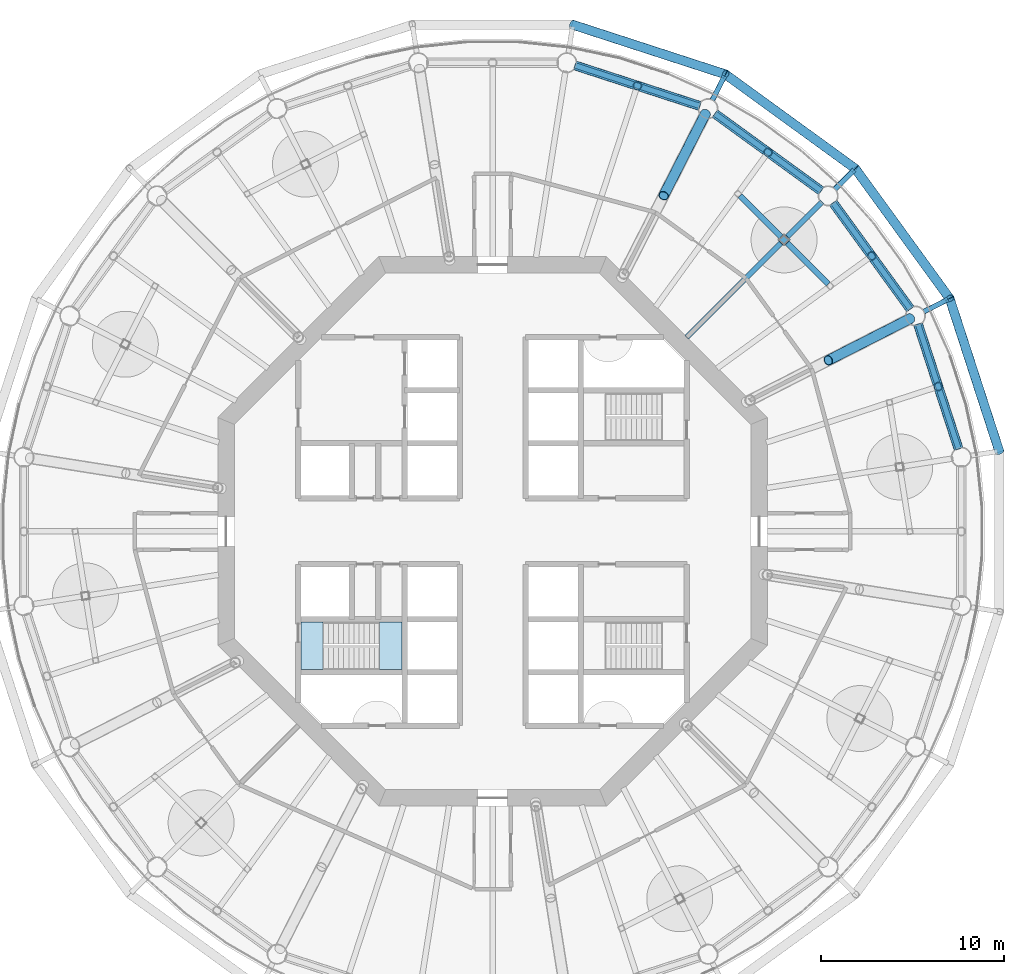
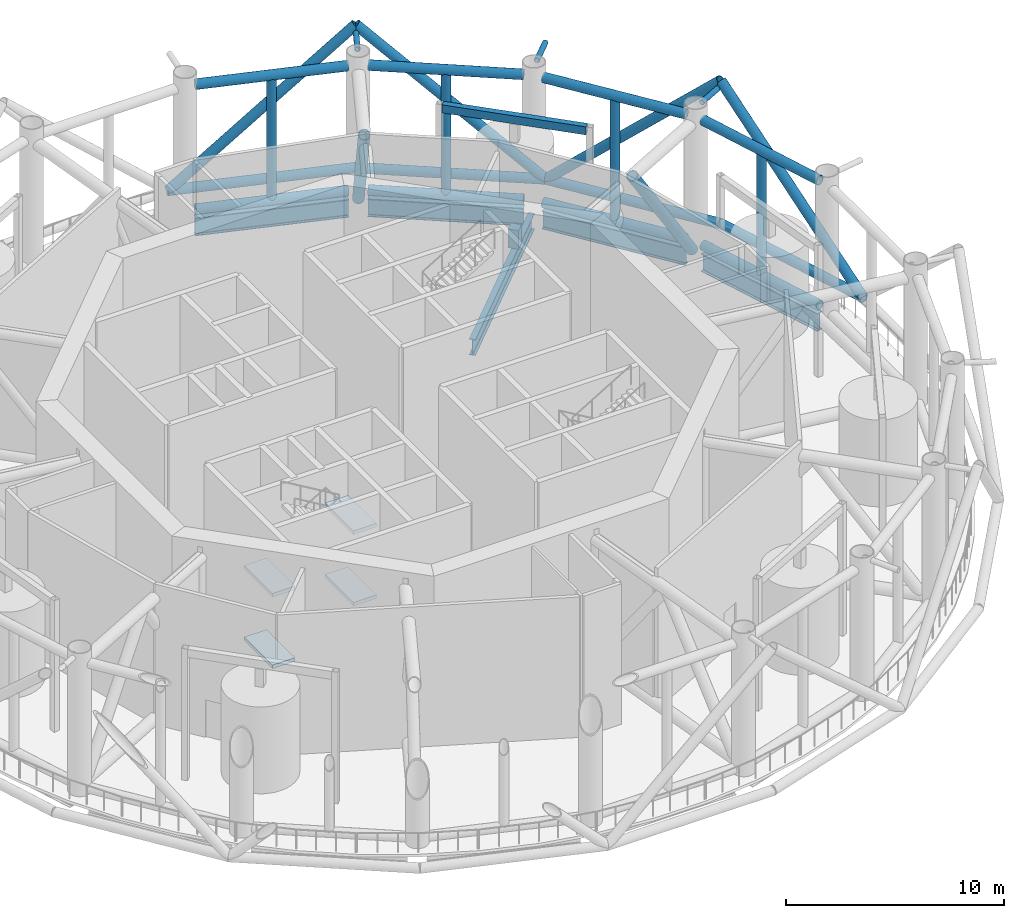
# One storey, part 10 of 22: 26 members, 6 beams, 4 slabs, 1 element without a shape of its own.
"""IFC4 building model written with IfcOpenShell, lengths in metres."""

from ifc_helpers import new_model, si_unit, direction, frame, origin, origin_2d, place, context, subcontext, project, spatial, polyline, rectangle, hollow_rectangle, circle, hollow_circle, i_section, outline, extrude, material, layer, layer_set, material_profile, profile_set, type_object, element, aggregate, save


model = new_model("IFC4")

# Units and contexts
model_context = context("Model", 3, precision=1e-05, world=origin(), true_north=direction((0.0, 1.0)))
body_context = subcontext(model_context, "Body", "Model", "MODEL_VIEW")
ifc_project = project(units=[si_unit("LENGTHUNIT", "METRE"), si_unit("AREAUNIT", "SQUARE_METRE"), si_unit("VOLUMEUNIT", "CUBIC_METRE"), si_unit("PLANEANGLEUNIT", "RADIAN"), si_unit("MASSUNIT", "GRAM", prefix="KILO")], contexts=[model_context])

# Site, building, storey
site_placement = place(None, origin())
site = spatial("IfcSite", under=ifc_project, at=site_placement, CompositionType="ELEMENT")
building_placement = place(site_placement, origin())
building = spatial("IfcBuilding", under=site, at=building_placement, Name="Entoto Ring Tower", CompositionType="ELEMENT")
storey_placement = place(building_placement, frame((0.0, 0.0, 230.0)))
storey = spatial("IfcBuildingStorey", under=building, at=storey_placement, Name="L53", CompositionType="ELEMENT", Elevation=230.0)

# Members
ifc_material_1 = material(Name="Steel S355", Category="steel")
ifc_material_profile_1 = material_profile(ifc_material_1, hollow_circle(Radius=0.25390625, WallThickness=0.02490234375, at=origin_2d()), Name="CHS 508 x 25")
ifc_material_2 = material(Name="Concrete C60/75", Category="concrete")
ifc_material_profile_2 = material_profile(ifc_material_2, circle(Radius=0.22900390625, at=origin_2d()), Name="Concrete C60/75 infill")
ifc_profile_set_1 = profile_set([ifc_material_profile_1, ifc_material_profile_2], Name="Steel S355")
member_type_1 = type_object("IfcMemberType", Name="Diagrid diagonal 508 x 25 concrete-filled tube", PredefinedType="BRACE", material=ifc_profile_set_1)
for number, where, z_axis, x_axis, name in (
    (1, (117.6552734375, 84.380126953125, 0.0), (-0.228181506805, 0.702283739289, 0.674337266865), (-0.95105823263, -0.309011711991, 0.0), "DG5 module 17 02"),
    (2, (109.799072265625, 99.799072265625, 0.0), (0.434030642959, -0.597406930213, 0.674331046821), (0.809024012567, 0.587775592458, 0.0), "DG5 module 17 03"),
    (3, (109.799072265625, 99.799072265625, 0.0), (-0.597406930213, 0.434030642959, 0.674331046821), (-0.587775592458, -0.809024012567, 0.0), "DG5 module 17 04"),
    (4, (94.380126953125, 107.6552734375, 0.0), (0.702283739289, -0.228181506805, 0.674337266865), (0.309011711991, 0.95105823263, 0.0), "DG5 module 17 05"),
):
    element("IfcMember", number, at=place(storey_placement, frame(where, z_axis=z_axis, x_axis=x_axis)), inside=storey, type_object=member_type_1, Name=name, PredefinedType="BRACE", context=body_context, shape_type="SweptSolid", body=[
        extrude(hollow_circle(Radius=0.25390625, WallThickness=0.02490234375, at=origin_2d()), origin(), (0.0, 0.0, 1.0), 11.863525390625),
    ])
ifc_material_3 = material(Name="Steel S355", Category="steel")
ifc_material_profile_3 = material_profile(ifc_material_3, hollow_circle(Radius=0.136474609375, WallThickness=0.012451171875, at=origin_2d()), Name="CHS 273 x 12.5")
ifc_material_4 = material(Name="Concrete C60/75", Category="concrete")
ifc_material_profile_4 = material_profile(ifc_material_4, circle(Radius=0.1240234375, at=origin_2d()), Name="Concrete C60/75 infill")
ifc_profile_set_2 = profile_set([ifc_material_profile_3, ifc_material_profile_4], Name="Steel S355")
member_type_2 = type_object("IfcMemberType", Name="Diagrid node strut 273 x 12.5", PredefinedType="STRUT", material=ifc_profile_set_2)
for number, where, z_axis, x_axis, name in (
    (5, (113.533935546875, 91.9912109375, 7.71337890625), (0.891053276869, 0.453898730756, 0.0), (-0.453898730756, 0.891053276869, 0.0), "DS2 strut ring 17 01"),
    (6, (108.676513671875, 98.676513671875, 7.71337890625), (0.707106781187, 0.707106781187, 0.0), (-0.707106781187, 0.707106781187, 0.0), "DS2 strut ring 17 02"),
    (7, (101.9912109375, 103.533935546875, 7.71337890625), (0.453898730756, 0.891053276869, 0.0), (-0.891053276869, 0.453898730756, 0.0), "DS2 strut ring 17 03"),
):
    element("IfcMember", number, at=place(storey_placement, frame(where, z_axis=z_axis, x_axis=x_axis)), inside=storey, type_object=member_type_2, Name=name, PredefinedType="STRUT", context=body_context, shape_type="SweptSolid", body=[
        extrude(hollow_circle(Radius=0.136474609375, WallThickness=0.012451171875, at=origin_2d()), origin(), (0.0, 0.0, 1.0), 1.4873046875),
    ])
ifc_material_5 = material(Name="Steel S355", Category="steel")
ifc_material_profile_5 = material_profile(ifc_material_5, hollow_circle(Radius=0.25390625, WallThickness=0.030029296875, at=origin_2d()), Name="CHS 508 x 30")
ifc_material_6 = material(Name="Concrete C60/75", Category="concrete")
ifc_material_profile_6 = material_profile(ifc_material_6, circle(Radius=0.22412109375, at=origin_2d()), Name="Concrete C60/75 infill")
ifc_profile_set_3 = profile_set([ifc_material_profile_5, ifc_material_profile_6], Name="Steel S355")
member_type_3 = type_object("IfcMemberType", Name="Diagrid ring beam 508 x 30", PredefinedType="CHORD", material=ifc_profile_set_3)
for number, where, z_axis, x_axis, name in (
    (8, (117.673828125, 84.322998046875, 0.0), (-0.309002151976, 0.951061338755, 0.0), (-0.951061338755, -0.309002151976, 0.0), "DR2 ring 16 01"),
    (9, (114.983642578125, 92.6630859375, 0.0), (-0.587790766961, 0.809012987705, 0.0), (-0.809012987705, -0.587790766961, 0.0), "DR2 ring 16 02"),
    (10, (109.84765625, 99.763671875, 0.0), (-0.809012987705, 0.587790766961, 0.0), (-0.587790766961, -0.809012987705, 0.0), "DR2 ring 16 03"),
    (11, (102.76904296875, 104.9296875, 0.0), (-0.951061338755, 0.309002151976, 0.0), (-0.309002151976, -0.951061338755, 0.0), "DR2 ring 16 04"),
):
    element("IfcMember", number, at=place(storey_placement, frame(where, z_axis=z_axis, x_axis=x_axis)), inside=storey, type_object=member_type_3, Name=name, PredefinedType="CHORD", context=body_context, shape_type="SweptSolid", body=[
        extrude(hollow_circle(Radius=0.25390625, WallThickness=0.030029296875, at=origin_2d()), origin(), (0.0, 0.0, 1.0), 8.880615234375),
    ])

# Beams
ifc_material_7 = material(Name="Steel S355", Category="steel")
ifc_material_profile_7 = material_profile(ifc_material_7, i_section(OverallWidth=0.300048828125, OverallDepth=1.0, WebThickness=0.01904296875, FlangeThickness=0.035888671875, FilletRadius=0.030029296875, at=origin_2d()), Name="HE 1000 B")
ifc_profile_set_4 = profile_set([ifc_material_profile_7], Name="Steel S355")
beam_type_1 = type_object("IfcBeamType", Name="Edge beam HE 1000 B", PredefinedType="SPANDREL", material=ifc_profile_set_4)
beam_1_placement = place(storey_placement, frame((115.43994140625, 84.486083984375, -0.64990234375), z_axis=(-0.309016197858, 0.951056775099, 0.0), x_axis=(-0.951056775099, -0.309016197858, 0.0)))
element("IfcBeam", 12, at=beam_1_placement, inside=storey, type_object=beam_type_1, Name="Edge beam L53 01", PredefinedType="SPANDREL", context=body_context, shape_type="SweptSolid", body=[
    extrude(i_section(OverallWidth=0.300048828125, OverallDepth=1.0, WebThickness=0.01904296875, FlangeThickness=0.035888671875, FilletRadius=0.030029296875, at=origin_2d()), origin(), (0.0, 0.0, 1.0), 7.189453125),
])
for number, where, z_axis, x_axis, name in (
    (13, (112.80859375, 92.1279296875, -0.64990234375), (-0.587804161843, 0.809003255445, 0.0), (-0.809003255445, -0.587804161843, 0.0), "Edge beam L53 02"),
    (14, (107.9443359375, 98.58251953125, -0.64990234375), (-0.809003255445, 0.587804161843, 0.0), (-0.587804161843, -0.809003255445, 0.0), "Edge beam L53 03"),
):
    element("IfcBeam", number, at=place(storey_placement, frame(where, z_axis=z_axis, x_axis=x_axis)), inside=storey, type_object=beam_type_1, Name=name, PredefinedType="SPANDREL", context=body_context, shape_type="SweptSolid", body=[
        extrude(i_section(OverallWidth=0.300048828125, OverallDepth=1.0, WebThickness=0.01904296875, FlangeThickness=0.035888671875, FilletRadius=0.030029296875, at=origin_2d()), origin(), (0.0, 0.0, 1.0), 7.189697265625),
    ])
beam_2_placement = place(storey_placement, frame((101.32373046875, 103.21826171875, -0.64990234375), z_axis=(-0.951056775099, 0.309016197858, 0.0), x_axis=(-0.309016197858, -0.951056775099, 0.0)))
element("IfcBeam", 15, at=beam_2_placement, inside=storey, type_object=beam_type_1, Name="Edge beam L53 04", PredefinedType="SPANDREL", context=body_context, shape_type="SweptSolid", body=[
    extrude(i_section(OverallWidth=0.300048828125, OverallDepth=1.0, WebThickness=0.01904296875, FlangeThickness=0.035888671875, FilletRadius=0.030029296875, at=origin_2d()), origin(), (0.0, 0.0, 1.0), 7.189453125),
])

# Members
ifc_material_8 = material(Name="Steel S355", Category="steel")
ifc_material_profile_8 = material_profile(ifc_material_8, hollow_circle(Radius=0.279541015625, WallThickness=0.031982421875, at=origin_2d()), Name="CHS 559 x 32")
ifc_material_9 = material(Name="Concrete C60/75", Category="concrete")
ifc_material_profile_9 = material_profile(ifc_material_9, circle(Radius=0.24755859375, at=origin_2d()), Name="Concrete C60/75 infill")
ifc_profile_set_5 = profile_set([ifc_material_profile_8, ifc_material_profile_9], Name="Steel S355")
member_type_4 = type_object("IfcMemberType", Name="Outrigger diagonal 559 x 32", PredefinedType="BRACE", material=ifc_profile_set_5)
for number, where, z_axis, x_axis, name in (
    (16, (108.320068359375, 89.33447265625, 7.044921875), (0.516071045889, 0.262970974339, -0.815179085999), (-0.454017422809, 0.890992805687, 0.0), "OR2 L53 01 2"),
    (17, (99.33447265625, 98.320068359375, 7.044921875), (0.262970974339, 0.516071045889, -0.815179085999), (-0.890992805687, 0.454017422809, 0.0), "OR2 L53 02 2"),
):
    element("IfcMember", number, at=place(storey_placement, frame(where, z_axis=z_axis, x_axis=x_axis)), inside=storey, type_object=member_type_4, Name=name, PredefinedType="BRACE", context=body_context, shape_type="SweptSolid", body=[
        extrude(hollow_circle(Radius=0.279541015625, WallThickness=0.031982421875, at=origin_2d()), origin(), (0.0, 0.0, 1.0), 8.681396484375),
    ])

# Beam
ifc_material_10 = material(Name="Steel S355", Category="steel")
ifc_material_profile_10 = material_profile(ifc_material_10, i_section(OverallWidth=0.300048828125, OverallDepth=0.89990234375, WebThickness=0.0185546875, FlangeThickness=0.034912109375, FilletRadius=0.030029296875, at=origin_2d()), Name="HE 900 B")
ifc_profile_set_6 = profile_set([ifc_material_profile_10], Name="Steel S355")
beam_type_2 = type_object("IfcBeamType", Name="Primary floor beam HE 900 B", PredefinedType="BEAM", material=ifc_profile_set_6)
beam_3_placement = place(storey_placement, frame((100.592529296875, 90.592529296875, -0.60009765625), z_axis=(0.707106781187, 0.707106781187, 0.0), x_axis=(-0.707106781187, 0.707106781187, 0.0)))
element("IfcBeam", 18, at=beam_3_placement, inside=storey, type_object=beam_type_2, Name="Primary L53 R03", PredefinedType="BEAM", context=body_context, shape_type="SweptSolid", body=[
    extrude(i_section(OverallWidth=0.300048828125, OverallDepth=0.89990234375, WebThickness=0.0185546875, FlangeThickness=0.034912109375, FilletRadius=0.030029296875, at=origin_2d()), origin(), (0.0, 0.0, 1.0), 10.462890625),
])

# Members
ifc_material_11 = material(Name="Steel S355", Category="steel")
ifc_material_profile_11 = material_profile(ifc_material_11, hollow_circle(Radius=0.25390625, WallThickness=0.030029296875, at=origin_2d()), Name="CHS 508 x 30")
ifc_material_12 = material(Name="Concrete C60/75", Category="concrete")
ifc_material_profile_12 = material_profile(ifc_material_12, circle(Radius=0.22412109375, at=origin_2d()), Name="Concrete C60/75 infill")
ifc_profile_set_7 = profile_set([ifc_material_profile_11, ifc_material_profile_12], Name="Steel S355")
member_type_5 = type_object("IfcMemberType", Name="Ring truss chord 508 x 30", PredefinedType="CHORD", material=ifc_profile_set_7)
for number, where, z_axis, x_axis, name in (
    (19, (115.4365234375, 84.49658203125, 0.25390625), (-0.30900443182, 0.951060598025, 0.0), (-0.951060598025, -0.30900443182, 0.0), "BT1 L53 bottom 01"),
    (20, (115.4365234375, 84.49658203125, 7.236083984375), (-0.30900443182, 0.951060598025, 0.0), (-0.951060598025, -0.30900443182, 0.0), "BT1 L53 top 01"),
    (21, (112.80224609375, 92.13671875, 0.25390625), (-0.587788860985, 0.809014372494, 0.0), (-0.809014372494, -0.587788860985, 0.0), "BT1 L53 bottom 02"),
    (22, (112.80224609375, 92.13671875, 7.236083984375), (-0.587788860985, 0.809014372494, 0.0), (-0.809014372494, -0.587788860985, 0.0), "BT1 L53 top 02"),
    (23, (107.935546875, 98.589111328125, 0.25390625), (-0.809014372494, 0.587788860985, 0.0), (-0.587788860985, -0.809014372494, 0.0), "BT1 L53 bottom 03"),
    (24, (107.935546875, 98.589111328125, 7.236083984375), (-0.809014372494, 0.587788860985, 0.0), (-0.587788860985, -0.809014372494, 0.0), "BT1 L53 top 03"),
    (25, (101.3134765625, 103.2216796875, 0.25390625), (-0.951060598025, 0.30900443182, 0.0), (-0.30900443182, -0.951060598025, 0.0), "BT1 L53 bottom 04"),
    (26, (101.3134765625, 103.2216796875, 7.236083984375), (-0.951060598025, 0.30900443182, 0.0), (-0.30900443182, -0.951060598025, 0.0), "BT1 L53 top 04"),
):
    element("IfcMember", number, at=place(storey_placement, frame(where, z_axis=z_axis, x_axis=x_axis)), inside=storey, type_object=member_type_5, Name=name, PredefinedType="CHORD", context=body_context, shape_type="SweptSolid", body=[
        extrude(hollow_circle(Radius=0.25390625, WallThickness=0.030029296875, at=origin_2d()), origin(), (0.0, 0.0, 1.0), 7.167724609375),
    ])
ifc_material_13 = material(Name="Steel S355", Category="steel")
ifc_material_profile_13 = material_profile(ifc_material_13, hollow_circle(Radius=0.228515625, WallThickness=0.02001953125, at=origin_2d()), Name="CHS 457 x 20")
ifc_material_14 = material(Name="Concrete C60/75", Category="concrete")
ifc_material_profile_14 = material_profile(ifc_material_14, circle(Radius=0.20849609375, at=origin_2d()), Name="Concrete C60/75 infill")
ifc_profile_set_8 = profile_set([ifc_material_profile_13, ifc_material_profile_14], Name="Steel S355")
member_type_6 = type_object("IfcMemberType", Name="Ring truss post 457 x 20", PredefinedType="POST", material=ifc_profile_set_8)
for number, where, z_axis, x_axis, name in (
    (27, (114.3291015625, 87.905029296875, 0.25390625), (0.0, 0.0, 1.0), (1.0, 0.0, 0.0), "BT3 L53 01"),
    (28, (110.695556640625, 95.0361328125, 0.25390625), (0.0, 0.0, 1.0), (1.0, 0.0, 0.0), "BT3 L53 02"),
    (29, (105.0361328125, 100.695556640625, 0.25390625), (0.0, 0.0, 1.0), (1.0, 0.0, 0.0), "BT3 L53 03"),
    (30, (97.905029296875, 104.3291015625, 0.25390625), (0.0, 0.0, 1.0), (1.0, 0.0, 0.0), "BT3 L53 04"),
):
    element("IfcMember", number, at=place(storey_placement, frame(where, z_axis=z_axis, x_axis=x_axis)), inside=storey, type_object=member_type_6, Name=name, PredefinedType="POST", context=body_context, shape_type="SweptSolid", body=[
        extrude(hollow_circle(Radius=0.228515625, WallThickness=0.02001953125, at=origin_2d()), origin(), (0.0, 0.0, 1.0), 6.982177734375),
    ])
ifc_material_15 = material(Name="Steel S355", Category="steel")
ifc_material_profile_15 = material_profile(ifc_material_15, rectangle(XDim=0.5, YDim=0.5, at=origin_2d()), Name="Turbine base 500 x 500 mm steel pedestal")
ifc_profile_set_9 = profile_set([ifc_material_profile_15], Name="Steel S355")
member_type_7 = type_object("IfcMemberType", Name="Turbine base 500 x 500 mm steel pedestal", PredefinedType="POST", material=ifc_profile_set_9)
member_placement = place(storey_placement, frame((105.909912109375, 95.909912109375, 0.0), z_axis=(0.0, 0.0, 1.0), x_axis=(-0.707106781187, 0.707106781187, 0.0)))
element("IfcMember", 31, at=member_placement, inside=storey, type_object=member_type_7, Name="TURBINE BASE 2", PredefinedType="POST", context=body_context, shape_type="SweptSolid", body=[
    extrude(rectangle(XDim=0.5, YDim=0.5, at=origin_2d()), origin(), (0.0, 0.0, 1.0), 1.050048828125),
])

# Beam
ifc_material_16 = material(Name="Steel S355", Category="steel")
ifc_material_profile_16 = material_profile(ifc_material_16, hollow_rectangle(XDim=0.300048828125, YDim=0.449951171875, WallThickness=0.013916015625, at=origin_2d()), Name="Turbine frame beam 300 x 450 x 14 mm")
ifc_profile_set_10 = profile_set([ifc_material_profile_16], Name="Steel S355")
beam_type_3 = type_object("IfcBeamType", Name="Turbine frame beam 300 x 450 x 14 mm", PredefinedType="BEAM", material=ifc_profile_set_10)
beam_4_placement = place(storey_placement, frame((108.32373046875, 93.49609375, 7.125), z_axis=(-0.707106781187, 0.707106781187, 0.0), x_axis=(-0.707106781187, -0.707106781187, 0.0)))
element("IfcBeam", 32, at=beam_4_placement, inside=storey, type_object=beam_type_3, Name="TURBINE FRAME BEAM 2", PredefinedType="BEAM", context=body_context, shape_type="SweptSolid", body=[
    extrude(hollow_rectangle(XDim=0.300048828125, YDim=0.449951171875, WallThickness=0.013916015625, at=origin_2d()), origin(), (0.0, 0.0, 1.0), 6.827392578125),
])

# Stair, slabs
ifc_material_17 = material(Name="Concrete C40/50", Category="concrete")
stair_type = type_object("IfcStairType", Name="Exit stair 1200 mm dog-leg reinforced concrete", PredefinedType="HALF_TURN_STAIR", material=ifc_material_17)
stair_placement = place(storey_placement, origin())
stair = element("IfcStair", 33, at=stair_placement, inside=storey, type_object=stair_type, Name="Exit stair 2", PredefinedType="HALF_TURN_STAIR")
ifc_material_18 = material(Name="Concrete C40/50", Category="concrete")
ifc_layer = layer(ifc_material_18, 0.199951171875)
ifc_layer_set = layer_set([ifc_layer], Name="Concrete C40/50")
slab_type = type_object("IfcSlabType", Name="Stair landing 200 mm reinforced concrete", PredefinedType="LANDING", material=ifc_layer_set)
slab_1_placement = place(storey_placement, frame((0.0, 0.0, -0.199951171875)))
slab_1 = element("IfcSlab", 34, at=slab_1_placement, type_object=slab_type, Name="ST2 landing 1", PredefinedType="LANDING", context=body_context, shape_type="SweptSolid", body=[
    extrude(outline(polyline([(80.75, 72.449951171875), (80.75, 75.050048828125), (79.550048828125, 75.050048828125), (79.550048828125, 72.449951171875), (80.75, 72.449951171875)])), origin(), (0.0, 0.0, 1.0), 0.199951171875),
])
slab_2_placement = place(storey_placement, frame((0.0, 0.0, 1.800048828125)))
slab_2 = element("IfcSlab", 35, at=slab_2_placement, type_object=slab_type, Name="ST2 landing 2", PredefinedType="LANDING", context=body_context, shape_type="SweptSolid", body=[
    extrude(outline(polyline([(83.830078125, 72.449951171875), (85.050048828125, 72.449951171875), (85.050048828125, 75.050048828125), (83.830078125, 75.050048828125), (83.830078125, 72.449951171875)])), origin(), (0.0, 0.0, 1.0), 0.199951171875),
])
slab_3_placement = place(storey_placement, frame((0.0, 0.0, 3.800048828125)))
slab_3 = element("IfcSlab", 36, at=slab_3_placement, type_object=slab_type, Name="ST2 landing 3", PredefinedType="LANDING", context=body_context, shape_type="SweptSolid", body=[
    extrude(outline(polyline([(79.550048828125, 72.449951171875), (80.75, 72.449951171875), (80.75, 75.050048828125), (79.550048828125, 75.050048828125), (79.550048828125, 72.449951171875)])), origin(), (0.0, 0.0, 1.0), 0.199951171875),
])
slab_4_placement = place(storey_placement, frame((0.0, 0.0, 5.800048828125)))
slab_4 = element("IfcSlab", 37, at=slab_4_placement, type_object=slab_type, Name="ST2 landing 4", PredefinedType="LANDING", context=body_context, shape_type="SweptSolid", body=[
    extrude(outline(polyline([(83.830078125, 72.449951171875), (85.050048828125, 72.449951171875), (85.050048828125, 75.050048828125), (83.830078125, 75.050048828125), (83.830078125, 72.449951171875)])), origin(), (0.0, 0.0, 1.0), 0.199951171875),
])
aggregate(stair, [slab_1, slab_2, slab_3, slab_4])

save(model, "model.ifc")
